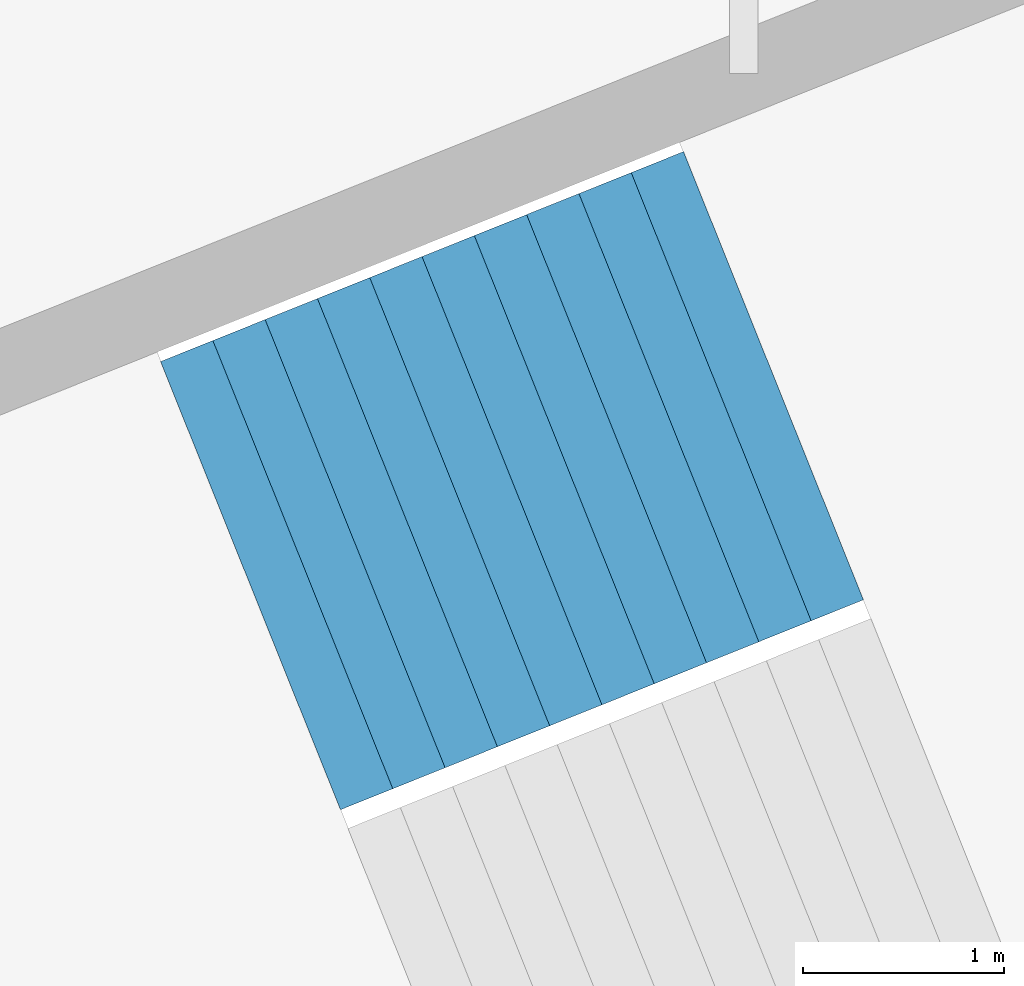
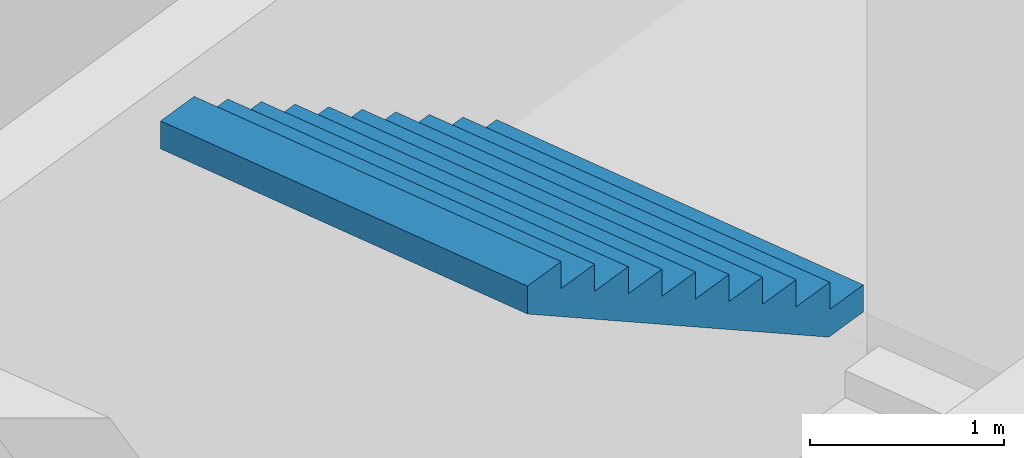
# One storey, part 68 of 73: 1 stair flight, 1 element without a shape of its own.
"""IFC4 building model written with IfcOpenShell, lengths in metres."""

from ifc_helpers import new_model, si_unit, direction, frame, origin, place, context, subcontext, project, spatial, triangles, material, type_object, element, aggregate, save


model = new_model("IFC4")

# Units and contexts
model_context = context("Model", 3, precision=1e-05, world=origin(), true_north=direction((0.0, 1.0)))
body_context = subcontext(model_context, "Body", "Model", "MODEL_VIEW")
ifc_project = project(units=[si_unit("LENGTHUNIT", "METRE"), si_unit("AREAUNIT", "SQUARE_METRE"), si_unit("VOLUMEUNIT", "CUBIC_METRE"), si_unit("PLANEANGLEUNIT", "RADIAN"), si_unit("MASSUNIT", "GRAM", prefix="KILO")], contexts=[model_context])

# Site, building, storey
site_placement = place(None, origin())
site = spatial("IfcSite", under=ifc_project, at=site_placement, CompositionType="ELEMENT")
building_placement = place(site_placement, origin())
building = spatial("IfcBuilding", under=site, at=building_placement, Name="Lantaw Convention Tower", CompositionType="ELEMENT")
storey_placement = place(building_placement, frame((0.0, 0.0, 14.5)))
storey = spatial("IfcBuildingStorey", under=building, at=storey_placement, Name="L02", CompositionType="ELEMENT", Elevation=14.5)

# Stair, stair flight
ifc_material = material(Name="Concrete C35/45", Category="concrete")
stair_type = type_object("IfcStairType", Name="Exit stair 2400 riser 170.45 in 4 flights", PredefinedType="HALF_TURN_STAIR", material=ifc_material)
stair_placement = place(storey_placement, origin())
stair = element("IfcStair", 1, at=stair_placement, inside=storey, type_object=stair_type, Name="Podium exit stair P2 L02", PredefinedType="HALF_TURN_STAIR")
stair_flight_type = type_object("IfcStairFlightType", Name="Stair flight 2400 riser 170.45", PredefinedType="STRAIGHT", material=ifc_material)
stair_flight_placement = place(storey_placement, frame((38.39794921875, 16.761474609375, 5.625), z_axis=(0.0, 0.0, 1.0), x_axis=(-0.928015168305, -0.372542410198, 0.0)))
stair_flight = element("IfcStairFlight", 2, at=stair_flight_placement, type_object=stair_flight_type, Name="P2 flight 4", NumberOfRisers=11, NumberOfTreads=10, PredefinedType="STRAIGHT", RiserHeight=0.170454545, TreadLength=0.28, context=body_context, shape_type="Tessellation", body=[
    triangles([(0.0, 1.199951171875, 0.0), (0.0, 1.199951171875, 0.170454545), (0.28, 1.199951171875, 0.0), (0.28, 1.199951171875, 0.170454545), (0.28, 1.199951171875, 0.34090909), (0.28827876332691904, 1.199951171875, 0.0), (0.28827876332691904, 1.199951171875, 0.34090909), (0.56, 1.199951171875, 0.16541471344266906), (0.56, 1.199951171875, 0.34090909), (0.56, 1.199951171875, 0.511363635), (0.8400000000000001, 1.199951171875, 0.335869258442669), (0.8400000000000001, 1.199951171875, 0.511363635), (0.8400000000000001, 1.199951171875, 0.68181818), (1.12, 1.199951171875, 0.506323803442669), (1.12, 1.199951171875, 0.68181818), (1.12, 1.199951171875, 0.8522727250000001), (1.4000000000000001, 1.199951171875, 0.676778348442669), (1.4000000000000001, 1.199951171875, 0.8522727250000001), (1.4000000000000001, 1.199951171875, 1.02272727), (1.6800000000000002, 1.199951171875, 0.847232893442669), (1.6800000000000002, 1.199951171875, 1.02272727), (1.6800000000000002, 1.199951171875, 1.193181815), (1.9600000000000002, 1.199951171875, 1.017687438442669), (1.9600000000000002, 1.199951171875, 1.193181815), (1.9600000000000002, 1.199951171875, 1.36363636), (2.24, 1.199951171875, 1.188141983442669), (2.24, 1.199951171875, 1.36363636), (2.24, 1.199951171875, 1.5340909050000002), (2.5200000000000005, 1.199951171875, 1.358596528442669), (2.5200000000000005, 1.199951171875, 1.5340909050000002), (2.5200000000000005, 1.199951171875, 1.7045454500000001), (2.8000000000000003, 1.199951171875, 1.529051073442669), (2.8000000000000003, 1.199951171875, 1.7045454500000001), (0.0, -1.199951171875, 0.0), (0.0, -1.199951171875, 0.170454545), (0.28, -1.199951171875, 0.0), (0.28, -1.199951171875, 0.170454545), (0.28, -1.199951171875, 0.34090909), (0.28827876332691904, -1.199951171875, 0.0), (0.28827876332691904, -1.199951171875, 0.34090909), (0.56, -1.199951171875, 0.16541471344266906), (0.56, -1.199951171875, 0.34090909), (0.56, -1.199951171875, 0.511363635), (0.8400000000000001, -1.199951171875, 0.335869258442669), (0.8400000000000001, -1.199951171875, 0.511363635), (0.8400000000000001, -1.199951171875, 0.68181818), (1.12, -1.199951171875, 0.506323803442669), (1.12, -1.199951171875, 0.68181818), (1.12, -1.199951171875, 0.8522727250000001), (1.4000000000000001, -1.199951171875, 0.676778348442669), (1.4000000000000001, -1.199951171875, 0.8522727250000001), (1.4000000000000001, -1.199951171875, 1.02272727), (1.6800000000000002, -1.199951171875, 0.847232893442669), (1.6800000000000002, -1.199951171875, 1.02272727), (1.6800000000000002, -1.199951171875, 1.193181815), (1.9600000000000002, -1.199951171875, 1.017687438442669), (1.9600000000000002, -1.199951171875, 1.193181815), (1.9600000000000002, -1.199951171875, 1.36363636), (2.24, -1.199951171875, 1.188141983442669), (2.24, -1.199951171875, 1.36363636), (2.24, -1.199951171875, 1.5340909050000002), (2.5200000000000005, -1.199951171875, 1.358596528442669), (2.5200000000000005, -1.199951171875, 1.5340909050000002), (2.5200000000000005, -1.199951171875, 1.7045454500000001), (2.8000000000000003, -1.199951171875, 1.529051073442669), (2.8000000000000003, -1.199951171875, 1.7045454500000001), (0.0, 0.239990234375, 0.170454545), (0.0, 0.239990234375, 0.0), (0.0, 0.1199951171875, 0.170454545), (0.0, 0.1199951171875, 0.0), (0.0, 0.0, 0.170454545), (0.0, 0.0, 0.0), (0.0, -0.1199951171875, 0.170454545), (0.0, -0.1199951171875, 0.0), (0.0, -0.239990234375, 0.170454545), (0.0, -0.239990234375, 0.0), (0.28, 0.239990234375, 0.34090909), (0.28, 0.239990234375, 0.170454545), (0.28, 0.1199951171875, 0.34090909), (0.28, 0.1199951171875, 0.170454545), (0.28, 0.0, 0.34090909), (0.28, 0.0, 0.170454545), (0.28, -0.1199951171875, 0.34090909), (0.28, -0.1199951171875, 0.170454545), (0.28, -0.239990234375, 0.34090909), (0.28, -0.239990234375, 0.170454545), (0.56, 0.239990234375, 0.511363635), (0.56, 0.239990234375, 0.34090909), (0.56, 0.1199951171875, 0.511363635), (0.56, 0.1199951171875, 0.34090909), (0.56, 0.0, 0.511363635), (0.56, 0.0, 0.34090909), (0.56, -0.1199951171875, 0.511363635), (0.56, -0.1199951171875, 0.34090909), (0.56, -0.239990234375, 0.511363635), (0.56, -0.239990234375, 0.34090909), (0.8400000000000001, 0.239990234375, 0.68181818), (0.8400000000000001, 0.239990234375, 0.511363635), (0.8400000000000001, 0.1199951171875, 0.68181818), (0.8400000000000001, 0.1199951171875, 0.511363635), (0.8400000000000001, 0.0, 0.68181818), (0.8400000000000001, 0.0, 0.511363635), (0.8400000000000001, -0.1199951171875, 0.68181818), (0.8400000000000001, -0.1199951171875, 0.511363635), (0.8400000000000001, -0.239990234375, 0.68181818), (0.8400000000000001, -0.239990234375, 0.511363635), (1.12, 0.239990234375, 0.8522727250000001), (1.12, 0.239990234375, 0.68181818), (1.12, 0.1199951171875, 0.8522727250000001), (1.12, 0.1199951171875, 0.68181818), (1.12, 0.0, 0.8522727250000001), (1.12, 0.0, 0.68181818), (1.12, -0.1199951171875, 0.8522727250000001), (1.12, -0.1199951171875, 0.68181818), (1.12, -0.239990234375, 0.8522727250000001), (1.12, -0.239990234375, 0.68181818), (1.4000000000000001, 0.239990234375, 1.02272727), (1.4000000000000001, 0.239990234375, 0.8522727250000001), (1.4000000000000001, 0.1199951171875, 1.02272727), (1.4000000000000001, 0.1199951171875, 0.8522727250000001), (1.4000000000000001, 0.0, 1.02272727), (1.4000000000000001, 0.0, 0.8522727250000001), (1.4000000000000001, -0.1199951171875, 1.02272727), (1.4000000000000001, -0.1199951171875, 0.8522727250000001), (1.4000000000000001, -0.239990234375, 1.02272727), (1.4000000000000001, -0.239990234375, 0.8522727250000001), (1.6800000000000002, 0.239990234375, 1.193181815), (1.6800000000000002, 0.239990234375, 1.02272727), (1.6800000000000002, 0.1199951171875, 1.193181815), (1.6800000000000002, 0.1199951171875, 1.02272727), (1.6800000000000002, 0.0, 1.193181815), (1.6800000000000002, 0.0, 1.02272727), (1.6800000000000002, -0.1199951171875, 1.193181815), (1.6800000000000002, -0.1199951171875, 1.02272727), (1.6800000000000002, -0.239990234375, 1.193181815), (1.6800000000000002, -0.239990234375, 1.02272727), (1.9600000000000002, 0.239990234375, 1.36363636), (1.9600000000000002, 0.239990234375, 1.193181815), (1.9600000000000002, 0.1199951171875, 1.36363636), (1.9600000000000002, 0.1199951171875, 1.193181815), (1.9600000000000002, 0.0, 1.36363636), (1.9600000000000002, 0.0, 1.193181815), (1.9600000000000002, -0.1199951171875, 1.36363636), (1.9600000000000002, -0.1199951171875, 1.193181815), (1.9600000000000002, -0.239990234375, 1.36363636), (1.9600000000000002, -0.239990234375, 1.193181815), (2.24, 0.239990234375, 1.5340909050000002), (2.24, 0.239990234375, 1.36363636), (2.24, 0.1199951171875, 1.5340909050000002), (2.24, 0.1199951171875, 1.36363636), (2.24, 0.0, 1.5340909050000002), (2.24, 0.0, 1.36363636), (2.24, -0.1199951171875, 1.5340909050000002), (2.24, -0.1199951171875, 1.36363636), (2.24, -0.239990234375, 1.5340909050000002), (2.24, -0.239990234375, 1.36363636), (2.5200000000000005, 0.239990234375, 1.7045454500000001), (2.5200000000000005, 0.239990234375, 1.5340909050000002), (2.5200000000000005, 0.1199951171875, 1.7045454500000001), (2.5200000000000005, 0.1199951171875, 1.5340909050000002), (2.5200000000000005, 0.0, 1.7045454500000001), (2.5200000000000005, 0.0, 1.5340909050000002), (2.5200000000000005, -0.1199951171875, 1.7045454500000001), (2.5200000000000005, -0.1199951171875, 1.5340909050000002), (2.5200000000000005, -0.239990234375, 1.7045454500000001), (2.5200000000000005, -0.239990234375, 1.5340909050000002), (0.28827876332691904, 0.239990234375, 0.34090909), (0.28827876332691904, 0.1199951171875, 0.34090909), (0.28827876332691904, 0.0, 0.34090909), (0.28827876332691904, -0.1199951171875, 0.34090909), (0.28827876332691904, -0.239990234375, 0.34090909), (2.8000000000000003, 0.239990234375, 1.7045454500000001), (2.8000000000000003, 0.1199951171875, 1.7045454500000001), (2.8000000000000003, 0.0, 1.7045454500000001), (2.8000000000000003, -0.1199951171875, 1.7045454500000001), (2.8000000000000003, -0.239990234375, 1.7045454500000001), (2.8000000000000003, 0.239990234375, 1.5290510734426692), (2.8000000000000003, 0.1199951171875, 1.5290510734426692), (2.8000000000000003, 0.0, 1.5290510734426692), (2.8000000000000003, -0.1199951171875, 1.5290510734426692), (2.8000000000000003, -0.239990234375, 1.5290510734426692), (2.5200000000000005, 0.239990234375, 1.358596528442669), (2.5200000000000005, 0.1199951171875, 1.358596528442669), (2.5200000000000005, 0.0, 1.358596528442669), (2.5200000000000005, -0.1199951171875, 1.358596528442669), (2.5200000000000005, -0.239990234375, 1.358596528442669), (2.24, 0.239990234375, 1.188141983442669), (2.24, 0.1199951171875, 1.188141983442669), (2.24, 0.0, 1.188141983442669), (2.24, -0.1199951171875, 1.188141983442669), (2.24, -0.239990234375, 1.188141983442669), (1.9600000000000002, 0.239990234375, 1.017687438442669), (1.9600000000000002, 0.1199951171875, 1.017687438442669), (1.9600000000000002, 0.0, 1.017687438442669), (1.9600000000000002, -0.1199951171875, 1.017687438442669), (1.9600000000000002, -0.239990234375, 1.017687438442669), (1.6800000000000002, 0.239990234375, 0.847232893442669), (1.6800000000000002, 0.1199951171875, 0.847232893442669), (1.6800000000000002, 0.0, 0.847232893442669), (1.6800000000000002, -0.1199951171875, 0.847232893442669), (1.6800000000000002, -0.239990234375, 0.847232893442669), (1.4000000000000001, 0.239990234375, 0.676778348442669), (1.4000000000000001, 0.1199951171875, 0.676778348442669), (1.4000000000000001, 0.0, 0.676778348442669), (1.4000000000000001, -0.1199951171875, 0.676778348442669), (1.4000000000000001, -0.239990234375, 0.676778348442669), (1.12, 0.239990234375, 0.506323803442669), (1.12, 0.1199951171875, 0.506323803442669), (1.12, 0.0, 0.506323803442669), (1.12, -0.1199951171875, 0.506323803442669), (1.12, -0.239990234375, 0.506323803442669), (0.8400000000000001, 0.239990234375, 0.335869258442669), (0.8400000000000001, 0.1199951171875, 0.335869258442669), (0.8400000000000001, 0.0, 0.335869258442669), (0.8400000000000001, -0.1199951171875, 0.335869258442669), (0.8400000000000001, -0.239990234375, 0.335869258442669), (0.56, 0.239990234375, 0.16541471344266906), (0.56, 0.1199951171875, 0.16541471344266906), (0.56, 0.0, 0.16541471344266906), (0.56, -0.1199951171875, 0.16541471344266906), (0.56, -0.239990234375, 0.16541471344266906), (0.28827876332691904, 0.239990234375, 0.0), (0.28827876332691904, 0.1199951171875, 0.0), (0.28827876332691904, 0.0, 0.0), (0.28827876332691904, -0.1199951171875, 0.0), (0.28827876332691904, -0.239990234375, 0.0), (0.28, 0.239990234375, 0.0), (0.28, 0.1199951171875, 0.0), (0.28, 0.0, 0.0), (0.28, -0.1199951171875, 0.0), (0.28, -0.239990234375, 0.0)], [[1, 4, 3], [1, 2, 4], [3, 4, 6], [4, 7, 6], [4, 5, 7], [6, 9, 8], [6, 7, 9], [8, 9, 11], [9, 12, 11], [9, 10, 12], [11, 12, 14], [12, 15, 14], [12, 13, 15], [14, 15, 17], [15, 18, 17], [15, 16, 18], [17, 18, 20], [18, 21, 20], [18, 19, 21], [20, 21, 23], [21, 24, 23], [21, 22, 24], [23, 24, 26], [24, 27, 26], [24, 25, 27], [26, 27, 29], [27, 30, 29], [27, 28, 30], [29, 30, 32], [30, 33, 32], [30, 31, 33], [34, 36, 37], [34, 37, 35], [36, 39, 37], [37, 39, 40], [37, 40, 38], [39, 41, 42], [39, 42, 40], [41, 44, 42], [42, 44, 45], [42, 45, 43], [44, 47, 45], [45, 47, 48], [45, 48, 46], [47, 50, 48], [48, 50, 51], [48, 51, 49], [50, 53, 51], [51, 53, 54], [51, 54, 52], [53, 56, 54], [54, 56, 57], [54, 57, 55], [56, 59, 57], [57, 59, 60], [57, 60, 58], [59, 62, 60], [60, 62, 63], [60, 63, 61], [62, 65, 63], [63, 65, 66], [63, 66, 64], [1, 67, 2], [1, 68, 67], [68, 69, 67], [68, 70, 69], [70, 71, 69], [70, 72, 71], [72, 73, 71], [72, 74, 73], [74, 75, 73], [74, 76, 75], [76, 35, 75], [76, 34, 35], [4, 77, 5], [4, 78, 77], [78, 79, 77], [78, 80, 79], [80, 81, 79], [80, 82, 81], [82, 83, 81], [82, 84, 83], [84, 85, 83], [84, 86, 85], [86, 38, 85], [86, 37, 38], [9, 87, 10], [9, 88, 87], [88, 89, 87], [88, 90, 89], [90, 91, 89], [90, 92, 91], [92, 93, 91], [92, 94, 93], [94, 95, 93], [94, 96, 95], [96, 43, 95], [96, 42, 43], [12, 97, 13], [12, 98, 97], [98, 99, 97], [98, 100, 99], [100, 101, 99], [100, 102, 101], [102, 103, 101], [102, 104, 103], [104, 105, 103], [104, 106, 105], [106, 46, 105], [106, 45, 46], [15, 107, 16], [15, 108, 107], [108, 109, 107], [108, 110, 109], [110, 111, 109], [110, 112, 111], [112, 113, 111], [112, 114, 113], [114, 115, 113], [114, 116, 115], [116, 49, 115], [116, 48, 49], [18, 117, 19], [18, 118, 117], [118, 119, 117], [118, 120, 119], [120, 121, 119], [120, 122, 121], [122, 123, 121], [122, 124, 123], [124, 125, 123], [124, 126, 125], [126, 52, 125], [126, 51, 52], [21, 127, 22], [21, 128, 127], [128, 129, 127], [128, 130, 129], [130, 131, 129], [130, 132, 131], [132, 133, 131], [132, 134, 133], [134, 135, 133], [134, 136, 135], [136, 55, 135], [136, 54, 55], [24, 137, 25], [24, 138, 137], [138, 139, 137], [138, 140, 139], [140, 141, 139], [140, 142, 141], [142, 143, 141], [142, 144, 143], [144, 145, 143], [144, 146, 145], [146, 58, 145], [146, 57, 58], [27, 147, 28], [27, 148, 147], [148, 149, 147], [148, 150, 149], [150, 151, 149], [150, 152, 151], [152, 153, 151], [152, 154, 153], [154, 155, 153], [154, 156, 155], [156, 61, 155], [156, 60, 61], [30, 157, 31], [30, 158, 157], [158, 159, 157], [158, 160, 159], [160, 161, 159], [160, 162, 161], [162, 163, 161], [162, 164, 163], [164, 165, 163], [164, 166, 165], [166, 64, 165], [166, 63, 64], [2, 78, 4], [2, 67, 78], [67, 80, 78], [67, 69, 80], [69, 82, 80], [69, 71, 82], [71, 84, 82], [71, 73, 84], [73, 86, 84], [73, 75, 86], [75, 37, 86], [75, 35, 37], [5, 167, 7], [5, 77, 167], [77, 168, 167], [77, 79, 168], [79, 169, 168], [79, 81, 169], [81, 170, 169], [81, 83, 170], [83, 171, 170], [83, 85, 171], [85, 40, 171], [85, 38, 40], [7, 88, 9], [7, 167, 88], [167, 90, 88], [167, 168, 90], [168, 92, 90], [168, 169, 92], [169, 94, 92], [169, 170, 94], [170, 96, 94], [170, 171, 96], [171, 42, 96], [171, 40, 42], [10, 98, 12], [10, 87, 98], [87, 100, 98], [87, 89, 100], [89, 102, 100], [89, 91, 102], [91, 104, 102], [91, 93, 104], [93, 106, 104], [93, 95, 106], [95, 45, 106], [95, 43, 45], [13, 108, 15], [13, 97, 108], [97, 110, 108], [97, 99, 110], [99, 112, 110], [99, 101, 112], [101, 114, 112], [101, 103, 114], [103, 116, 114], [103, 105, 116], [105, 48, 116], [105, 46, 48], [16, 118, 18], [16, 107, 118], [107, 120, 118], [107, 109, 120], [109, 122, 120], [109, 111, 122], [111, 124, 122], [111, 113, 124], [113, 126, 124], [113, 115, 126], [115, 51, 126], [115, 49, 51], [19, 128, 21], [19, 117, 128], [117, 130, 128], [117, 119, 130], [119, 132, 130], [119, 121, 132], [121, 134, 132], [121, 123, 134], [123, 136, 134], [123, 125, 136], [125, 54, 136], [125, 52, 54], [22, 138, 24], [22, 127, 138], [127, 140, 138], [127, 129, 140], [129, 142, 140], [129, 131, 142], [131, 144, 142], [131, 133, 144], [133, 146, 144], [133, 135, 146], [135, 57, 146], [135, 55, 57], [25, 148, 27], [25, 137, 148], [137, 150, 148], [137, 139, 150], [139, 152, 150], [139, 141, 152], [141, 154, 152], [141, 143, 154], [143, 156, 154], [143, 145, 156], [145, 60, 156], [145, 58, 60], [28, 158, 30], [28, 147, 158], [147, 160, 158], [147, 149, 160], [149, 162, 160], [149, 151, 162], [151, 164, 162], [151, 153, 164], [153, 166, 164], [153, 155, 166], [155, 63, 166], [155, 61, 63], [31, 172, 33], [31, 157, 172], [157, 173, 172], [157, 159, 173], [159, 174, 173], [159, 161, 174], [161, 175, 174], [161, 163, 175], [163, 176, 175], [163, 165, 176], [165, 66, 176], [165, 64, 66], [33, 177, 32], [33, 172, 177], [172, 178, 177], [172, 173, 178], [173, 179, 178], [173, 174, 179], [174, 180, 179], [174, 175, 180], [175, 181, 180], [175, 176, 181], [176, 65, 181], [176, 66, 65], [32, 182, 29], [32, 177, 182], [177, 183, 182], [177, 178, 183], [178, 184, 183], [178, 179, 184], [179, 185, 184], [179, 180, 185], [180, 186, 185], [180, 181, 186], [181, 62, 186], [181, 65, 62], [29, 187, 26], [29, 182, 187], [182, 188, 187], [182, 183, 188], [183, 189, 188], [183, 184, 189], [184, 190, 189], [184, 185, 190], [185, 191, 190], [185, 186, 191], [186, 59, 191], [186, 62, 59], [26, 192, 23], [26, 187, 192], [187, 193, 192], [187, 188, 193], [188, 194, 193], [188, 189, 194], [189, 195, 194], [189, 190, 195], [190, 196, 195], [190, 191, 196], [191, 56, 196], [191, 59, 56], [23, 197, 20], [23, 192, 197], [192, 198, 197], [192, 193, 198], [193, 199, 198], [193, 194, 199], [194, 200, 199], [194, 195, 200], [195, 201, 200], [195, 196, 201], [196, 53, 201], [196, 56, 53], [20, 202, 17], [20, 197, 202], [197, 203, 202], [197, 198, 203], [198, 204, 203], [198, 199, 204], [199, 205, 204], [199, 200, 205], [200, 206, 205], [200, 201, 206], [201, 50, 206], [201, 53, 50], [17, 207, 14], [17, 202, 207], [202, 208, 207], [202, 203, 208], [203, 209, 208], [203, 204, 209], [204, 210, 209], [204, 205, 210], [205, 211, 210], [205, 206, 211], [206, 47, 211], [206, 50, 47], [14, 212, 11], [14, 207, 212], [207, 213, 212], [207, 208, 213], [208, 214, 213], [208, 209, 214], [209, 215, 214], [209, 210, 215], [210, 216, 215], [210, 211, 216], [211, 44, 216], [211, 47, 44], [11, 217, 8], [11, 212, 217], [212, 218, 217], [212, 213, 218], [213, 219, 218], [213, 214, 219], [214, 220, 219], [214, 215, 220], [215, 221, 220], [215, 216, 221], [216, 41, 221], [216, 44, 41], [8, 222, 6], [8, 217, 222], [217, 223, 222], [217, 218, 223], [218, 224, 223], [218, 219, 224], [219, 225, 224], [219, 220, 225], [220, 226, 225], [220, 221, 226], [221, 39, 226], [221, 41, 39], [6, 227, 3], [6, 222, 227], [222, 228, 227], [222, 223, 228], [223, 229, 228], [223, 224, 229], [224, 230, 229], [224, 225, 230], [225, 231, 230], [225, 226, 231], [226, 36, 231], [226, 39, 36], [3, 68, 1], [3, 227, 68], [227, 70, 68], [227, 228, 70], [228, 72, 70], [228, 229, 72], [229, 74, 72], [229, 230, 74], [230, 76, 74], [230, 231, 76], [231, 34, 76], [231, 36, 34]], closed=True),
])
aggregate(stair, [stair_flight])

save(model, "model.ifc")
